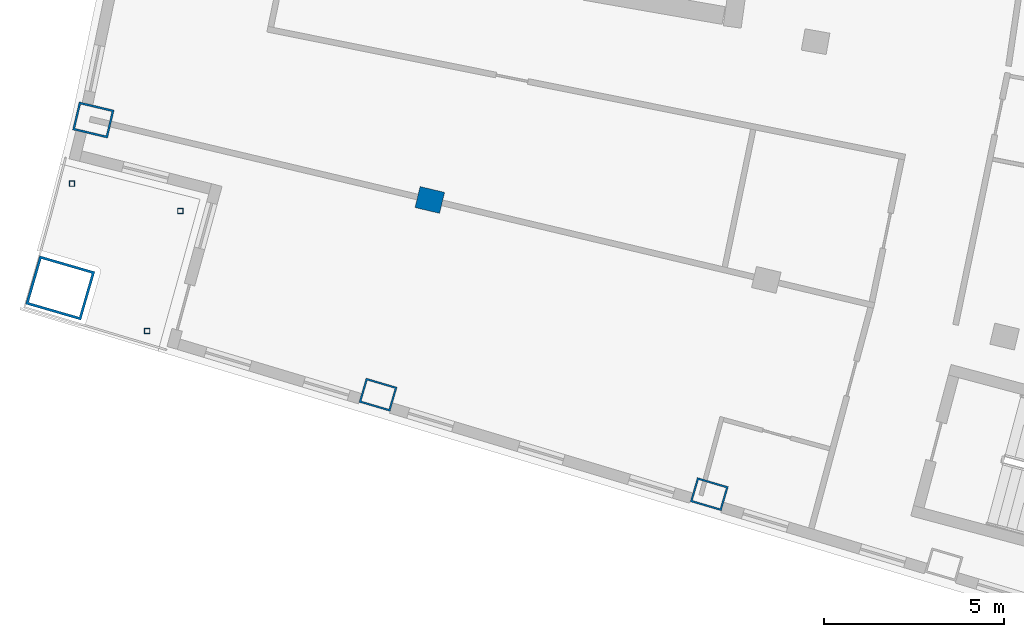
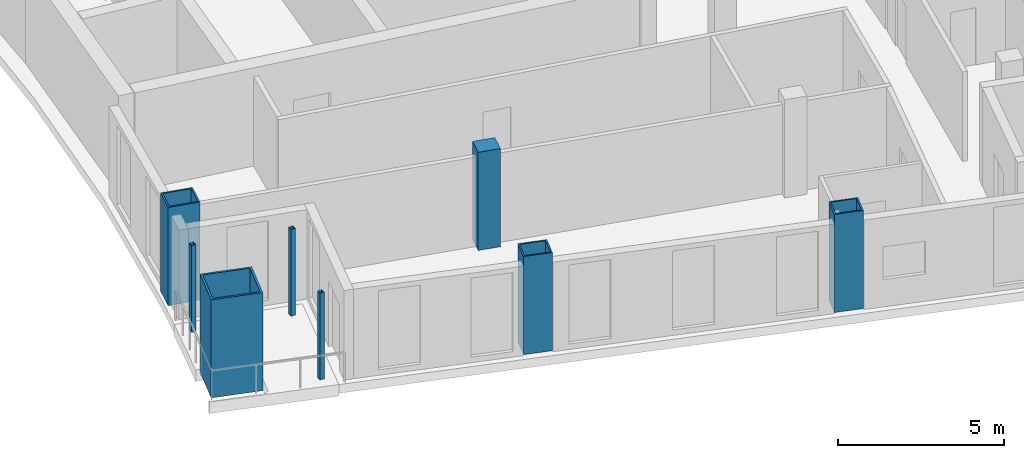
# One storey, part 1 of 17: 8 columns.
"""IFC4 building model written with IfcOpenShell, lengths in metres."""

import ifcopenshell
import ifcopenshell.guid

model = None  # the IFC model being written
_history = None  # IfcOwnerHistory: only IFC2X3 demands one
_inside = {}  # id of a spatial element -> (the spatial element, [elements in it])
_under = {}  # id of a project, library or spatial element -> (it, [spatial elements below it])
_declared = {}  # id of a project -> (the project, [libraries it declares])
_typed = {}  # id of a type object -> (the type object, [elements of that type])
_made_of = {}  # id of a material, layer set ... -> (it, [elements and type objects made of it])


def new_model(schema):
    """Start an empty IFC model of exactly this schema.

    Asked for "IFC4X3", IfcOpenShell would pick the latest addendum, in which some entities
    have other attributes; the version numbers below select the first issue.
    IFC2X3 requires an IfcOwnerHistory on every rooted entity: one is made here for all.
    """
    global model, _history
    if schema == "IFC4X3":
        model = ifcopenshell.file(schema_version=(4, 3, 0, 0))
    else:
        model = ifcopenshell.file(schema=schema)
    _inside.clear()
    _under.clear()
    _declared.clear()
    _typed.clear()
    _made_of.clear()
    _history = None
    if model.schema == "IFC2X3":
        org = make("IfcOrganization", Name="unknown")
        user = make(
            "IfcPersonAndOrganization",
            ThePerson=make("IfcPerson", FamilyName="unknown"),
            TheOrganization=org,
        )
        app = make(
            "IfcApplication",
            ApplicationDeveloper=org,
            Version="unknown",
            ApplicationFullName="unknown",
            ApplicationIdentifier="unknown",
        )
        _history = make(
            "IfcOwnerHistory",
            OwningUser=user,
            OwningApplication=app,
            ChangeAction="ADDED",
            CreationDate=0,
        )
    return model


def make(cls, **values):
    """One entity of the class cls with the attributes given. An attribute that is None is left unset."""
    return model.create_entity(
        cls, **{name: value for name, value in values.items() if value is not None}
    )


def rooted(cls, **values):
    """An entity with a GlobalId (a new one), such as an element, a storey or a relation."""
    return make(cls, GlobalId=ifcopenshell.guid.new(), OwnerHistory=_history, **values)


def si_unit(unit_type, name, prefix=None):
    """IfcSIUnit, for example si_unit("LENGTHUNIT", "METRE", prefix="MILLI")."""
    return make("IfcSIUnit", UnitType=unit_type, Prefix=prefix, Name=name)


def assignment(units):
    """IfcUnitAssignment: the units of a project."""
    return None if units is None else make("IfcUnitAssignment", Units=units)


def point(xyz):
    """IfcCartesianPoint."""
    return None if xyz is None else make("IfcCartesianPoint", Coordinates=xyz)


def direction(xyz):
    """IfcDirection."""
    return None if xyz is None else make("IfcDirection", DirectionRatios=xyz)


def frame(location, z_axis=None, x_axis=None):
    """IfcAxis2Placement3D, a coordinate frame: its origin and axes. An axis left out is left unset."""
    return make(
        "IfcAxis2Placement3D",
        Location=point(location),
        Axis=direction(z_axis),
        RefDirection=direction(x_axis),
    )


def frame_2d(location, x_axis=None):
    """IfcAxis2Placement2D, a coordinate frame in the plane: its origin and x axis."""
    return make(
        "IfcAxis2Placement2D", Location=point(location), RefDirection=direction(x_axis)
    )


def origin():
    """The frame at (0, 0, 0) with its axes left unset."""
    return frame((0.0, 0.0, 0.0))


def origin_2d():
    """The frame at (0, 0) in the plane with its x axis left unset."""
    return frame_2d((0.0, 0.0))


def place(relative_to, where):
    """IfcLocalPlacement: puts the frame where relative to a parent placement (None: the world)."""
    return make(
        "IfcLocalPlacement", PlacementRelTo=relative_to, RelativePlacement=where
    )


def context(
    kind, dimensions, precision=None, world=None, true_north=None, identifier=None
):
    """IfcGeometricRepresentationContext, for example the 3D "Model" context."""
    return make(
        "IfcGeometricRepresentationContext",
        ContextIdentifier=identifier,
        ContextType=kind,
        CoordinateSpaceDimension=dimensions,
        Precision=precision,
        WorldCoordinateSystem=world,
        TrueNorth=true_north,
    )


def subcontext(parent, identifier, kind, view, scale=None):
    """IfcGeometricRepresentationSubContext, for example "Body" below "Model"."""
    return make(
        "IfcGeometricRepresentationSubContext",
        ContextIdentifier=identifier,
        ContextType=kind,
        ParentContext=parent,
        TargetScale=scale,
        TargetView=view,
    )


def project(units=None, contexts=None):
    """IfcProject with its units and contexts."""
    return rooted(
        "IfcProject",
        Name="project",
        RepresentationContexts=contexts,
        UnitsInContext=assignment(units),
    )


def spatial(cls, under=None, at=None, **own):
    """A site, building, storey or space (cls), placed at a placement, below another one or the project."""
    s = rooted(cls, ObjectPlacement=at, **own)
    if under is not None:
        _under.setdefault(under.id(), (under, []))[1].append(s)
    return s


def profile(cls, at=None, kind="AREA", **sizes):
    """A parametric profile (cls). Its sizes go by their IFC names, for example OverallWidth=200.0."""
    return make(cls, ProfileType=kind, Position=at, **sizes)


def rectangle(**sizes):
    """IfcRectangleProfileDef."""
    return profile("IfcRectangleProfileDef", **sizes)


def hollow_rectangle(**sizes):
    """IfcRectangleHollowProfileDef."""
    return profile("IfcRectangleHollowProfileDef", **sizes)


def extrude(swept, where, along, depth):
    """IfcExtrudedAreaSolid: the profile swept, set in the frame where, extruded along a direction by depth."""
    return make(
        "IfcExtrudedAreaSolid",
        SweptArea=swept,
        Position=where,
        ExtrudedDirection=direction(along),
        Depth=depth,
    )


def shape(context_of_items, identifier, shape_type, items):
    """IfcShapeRepresentation: the items that make up one representation, for example the "Body"."""
    return make(
        "IfcShapeRepresentation",
        ContextOfItems=context_of_items,
        RepresentationIdentifier=identifier,
        RepresentationType=shape_type,
        Items=items,
    )


def material(Name=None, Category=None):
    """IfcMaterial."""
    return make("IfcMaterial", Name=Name, Category=Category)


def material_profile(
    of_material, cross_section, Name=None, Category=None, Priority=None
):
    """IfcMaterialProfile: a cross section and its material."""
    return make(
        "IfcMaterialProfile",
        Name=Name,
        Material=of_material,
        Profile=cross_section,
        Priority=Priority,
        Category=Category,
    )


def profile_set(profiles, Name=None, composite=None):
    """IfcMaterialProfileSet."""
    return make(
        "IfcMaterialProfileSet",
        Name=Name,
        MaterialProfiles=profiles,
        CompositeProfile=composite,
    )


def made_of(thing, what):
    """Note that an element or type object is made of a material, layer set ...; save() writes the relation."""
    if what is not None:
        _made_of.setdefault(what.id(), (what, []))[1].append(thing)
    return thing


def type_object(cls, material=None, **own):
    """A type object (cls), such as IfcWallType, which elements share."""
    return made_of(rooted(cls, **own), material)


def element(
    cls,
    number,
    at=None,
    inside=None,
    cuts=None,
    type_object=None,
    material=None,
    context=None,
    identifier="Body",
    shape_type=None,
    held_by="IfcProductDefinitionShape",
    body=None,
    shapes=None,
    **own,
):
    """One element of the class cls, such as IfcWall. Its Tag is "e" and its number.

    at: its placement. inside: the storey or other place that contains it. cuts: it is an
    opening in that element (IfcRelVoidsElement). A single representation is given by context,
    identifier, shape_type and body (its items); several are given by shapes. held_by: the class
    of the entity that holds the representations. save() writes the other relations.
    """
    e = rooted(cls, Tag="e%d" % number, ObjectPlacement=at, **own)
    if body is not None:
        shapes = [shape(context, identifier, shape_type, body)]
    if shapes is not None:
        e.Representation = make(held_by, Representations=shapes)
    if inside is not None:
        _inside.setdefault(inside.id(), (inside, []))[1].append(e)
    if cuts is not None:
        rooted(
            "IfcRelVoidsElement", RelatingBuildingElement=cuts, RelatedOpeningElement=e
        )
    if type_object is not None:
        _typed.setdefault(type_object.id(), (type_object, []))[1].append(e)
    return made_of(e, material)


def aggregate(whole, parts):
    """IfcRelAggregates: a whole, such as a stair, and the parts it consists of."""
    return rooted("IfcRelAggregates", RelatingObject=whole, RelatedObjects=parts)


def save(model, path):
    """Write the relations noted so far, then the file.

    IfcRelAggregates (storeys below a building ...), IfcRelContainedInSpatialStructure (elements
    in a storey), IfcRelDefinesByType, IfcRelAssociatesMaterial and IfcRelDeclares: one each for
    every whole, place, type object, material and project.
    """
    for whole, parts in _under.values():
        aggregate(whole, parts)
    for where, things in _inside.values():
        rooted(
            "IfcRelContainedInSpatialStructure",
            RelatedElements=things,
            RelatingStructure=where,
        )
    for kind, things in _typed.values():
        rooted("IfcRelDefinesByType", RelatedObjects=things, RelatingType=kind)
    for what, things in _made_of.values():
        rooted("IfcRelAssociatesMaterial", RelatedObjects=things, RelatingMaterial=what)
    for by, libraries in _declared.values():
        rooted("IfcRelDeclares", RelatingContext=by, RelatedDefinitions=libraries)
    model.write(path)


model = new_model("IFC4")

# Units and contexts
model_context = context("Model", 3, precision=1e-05, world=origin(), true_north=direction((0.0, 1.0)))
body_context = subcontext(model_context, "Body", "Model", "MODEL_VIEW")
ifc_project = project(units=[si_unit("LENGTHUNIT", "METRE"), si_unit("AREAUNIT", "SQUARE_METRE"), si_unit("VOLUMEUNIT", "CUBIC_METRE"), si_unit("PLANEANGLEUNIT", "RADIAN"), si_unit("MASSUNIT", "GRAM", prefix="KILO")], contexts=[model_context])

# Site, building, storey
site_placement = place(None, origin())
site = spatial("IfcSite", under=ifc_project, at=site_placement, CompositionType="ELEMENT")
building_placement = place(site_placement, origin())
building = spatial("IfcBuilding", under=site, at=building_placement, Name="Alderwake Tower", CompositionType="ELEMENT")
storey_placement = place(building_placement, frame((0.0, 0.0, 270.800048828125)))
storey = spatial("IfcBuildingStorey", under=building, at=storey_placement, Name="L67", CompositionType="ELEMENT", Elevation=270.800048828125)

# Columns
ifc_material_1 = material(Name="Steel ASTM A572 Grade 50 concrete filled C70/85", Category="concrete")
ifc_material_profile_1 = material_profile(ifc_material_1, hollow_rectangle(XDim=0.699951171875, YDim=0.89990234375, WallThickness=0.050048828125, at=origin_2d()), Name="BOX 900X700X50")
ifc_profile_set_1 = profile_set([ifc_material_profile_1], Name="Steel ASTM A572 Grade 50 concrete filled C70/85")
column_type_1 = type_object("IfcColumnType", Name="End column Z5", PredefinedType="COLUMN", material=ifc_profile_set_1)
for number, where, z_axis, x_axis, name in (
    (1, (21.885498046875, 31.03759765625, 0.0), (0.0, 0.0, 1.0), (0.282132160283, 0.95937554906, 0.0), "Column R02-C1"),
    (2, (31.080322265625, 28.27685546875, 0.0), (0.0, 0.0, 1.0), (0.282582549822, 0.959242984095, 0.0), "Column R02-C2"),
):
    element("IfcColumn", number, at=place(storey_placement, frame(where, z_axis=z_axis, x_axis=x_axis)), inside=storey, type_object=column_type_1, Name=name, PredefinedType="COLUMN", context=body_context, shape_type="SweptSolid", body=[
        extrude(hollow_rectangle(XDim=0.699951171875, YDim=0.89990234375, WallThickness=0.050048828125, at=origin_2d()), origin(), (0.0, 0.0, 1.0), 3.599853515625),
    ])
ifc_material_2 = material(Name="Concrete C70/85", Category="concrete")
ifc_material_profile_2 = material_profile(ifc_material_2, rectangle(XDim=0.60009765625, YDim=0.699951171875, at=origin_2d()), Name="RC 700X600")
ifc_profile_set_2 = profile_set([ifc_material_profile_2], Name="Concrete C70/85")
column_type_2 = type_object("IfcColumnType", Name="Interior column Z5", PredefinedType="COLUMN", material=ifc_profile_set_2)
column_1_placement = place(storey_placement, frame((23.322021484375, 36.444091796875, 0.0), z_axis=(0.0, 0.0, 1.0), x_axis=(0.231221547198, 0.972901123502, 0.0)))
element("IfcColumn", 3, at=column_1_placement, inside=storey, type_object=column_type_2, Name="Column R03-C1", PredefinedType="COLUMN", context=body_context, shape_type="SweptSolid", body=[
    extrude(rectangle(XDim=0.60009765625, YDim=0.699951171875, at=origin_2d()), origin(), (0.0, 0.0, 1.0), 3.599853515625),
])
ifc_material_3 = material(Name="Steel ASTM A500 Grade C", Category="steel")
ifc_material_profile_3 = material_profile(ifc_material_3, hollow_rectangle(XDim=0.15234375, YDim=0.15234375, WallThickness=0.0087890625, at=origin_2d()), Name="HSS6X6X3/8")
ifc_profile_set_3 = profile_set([ifc_material_profile_3], Name="Steel ASTM A500 Grade C")
column_type_3 = type_object("IfcColumnType", Name="Light post HSS6X6X3/8", PredefinedType="COLUMN", material=ifc_profile_set_3)
for number, where, z_axis, x_axis, name in (
    (4, (13.3896484375, 36.896484375, 0.0), (0.0, 0.0, 1.0), (1.0, 0.0, 0.0), "Terrace post RS1"),
    (5, (15.47412109375, 32.805908203125, 0.0), (0.0, 0.0, 1.0), (1.0, 0.0, 0.0), "Terrace post RS2"),
    (6, (16.39501953125, 36.135986328125, 0.0), (0.0, 0.0, 1.0), (1.0, 0.0, 0.0), "Terrace post RS3"),
):
    element("IfcColumn", number, at=place(storey_placement, frame(where, z_axis=z_axis, x_axis=x_axis)), inside=storey, type_object=column_type_3, Name=name, PredefinedType="COLUMN", context=body_context, shape_type="SweptSolid", body=[
        extrude(hollow_rectangle(XDim=0.15234375, YDim=0.15234375, WallThickness=0.0087890625, at=origin_2d()), origin(), (0.0, 0.0, 1.0), 3.179931640625),
    ])
ifc_material_4 = material(Name="Steel ASTM A572 Grade 50 concrete filled C70/85", Category="concrete")
ifc_material_profile_4 = material_profile(ifc_material_4, hollow_rectangle(XDim=1.39990234375, YDim=1.60009765625, WallThickness=0.070068359375, at=origin_2d()), Name="BOX 1600X1400X70")
ifc_profile_set_4 = profile_set([ifc_material_profile_4], Name="Steel ASTM A572 Grade 50 concrete filled C70/85")
column_type_4 = type_object("IfcColumnType", Name="Mega column Z5", PredefinedType="COLUMN", material=ifc_profile_set_4)
column_2_placement = place(storey_placement, frame((13.06298828125, 34.00244140625, 0.0), z_axis=(0.0, 0.0, 1.0), x_axis=(0.278612301868, 0.960403657452, 0.0)))
element("IfcColumn", 7, at=column_2_placement, inside=storey, type_object=column_type_4, Name="Column R02-C0", PredefinedType="COLUMN", context=body_context, shape_type="SweptSolid", body=[
    extrude(hollow_rectangle(XDim=1.39990234375, YDim=1.60009765625, WallThickness=0.070068359375, at=origin_2d()), origin(), (0.0, 0.0, 1.0), 3.599853515625),
])
ifc_material_5 = material(Name="Steel ASTM A572 Grade 50 concrete filled C70/85", Category="concrete")
ifc_material_profile_5 = material_profile(ifc_material_5, hollow_rectangle(XDim=0.800048828125, YDim=1.0, WallThickness=0.054931640625, at=origin_2d()), Name="BOX 1000X800X55")
ifc_profile_set_5 = profile_set([ifc_material_profile_5], Name="Steel ASTM A572 Grade 50 concrete filled C70/85")
column_type_5 = type_object("IfcColumnType", Name="Perimeter column Z5", PredefinedType="COLUMN", material=ifc_profile_set_5)
column_3_placement = place(storey_placement, frame((13.982177734375, 38.6640625, 0.0), z_axis=(0.0, 0.0, 1.0), x_axis=(0.231221547198, 0.972901123502, 0.0)))
element("IfcColumn", 8, at=column_3_placement, inside=storey, type_object=column_type_5, Name="Column R03-C0", PredefinedType="COLUMN", context=body_context, shape_type="SweptSolid", body=[
    extrude(hollow_rectangle(XDim=0.800048828125, YDim=1.0, WallThickness=0.054931640625, at=origin_2d()), origin(), (0.0, 0.0, 1.0), 3.599853515625),
])

save(model, "model.ifc")
